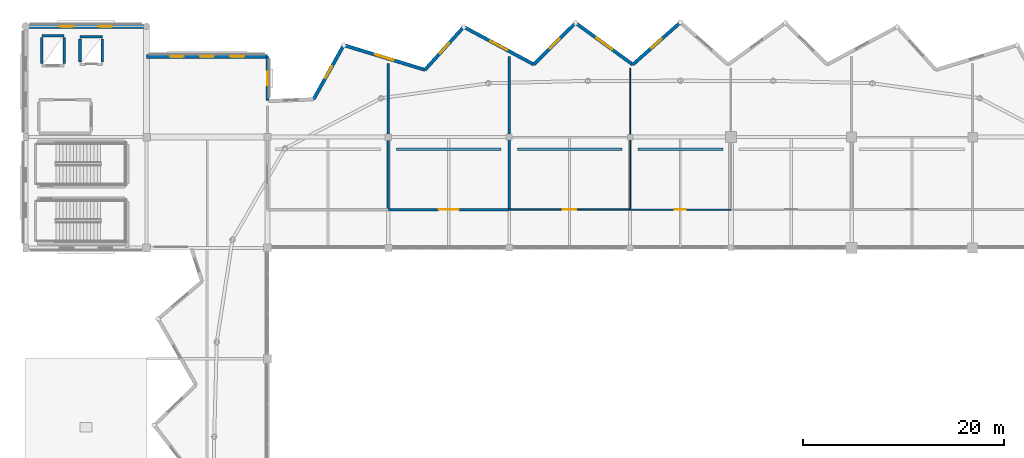
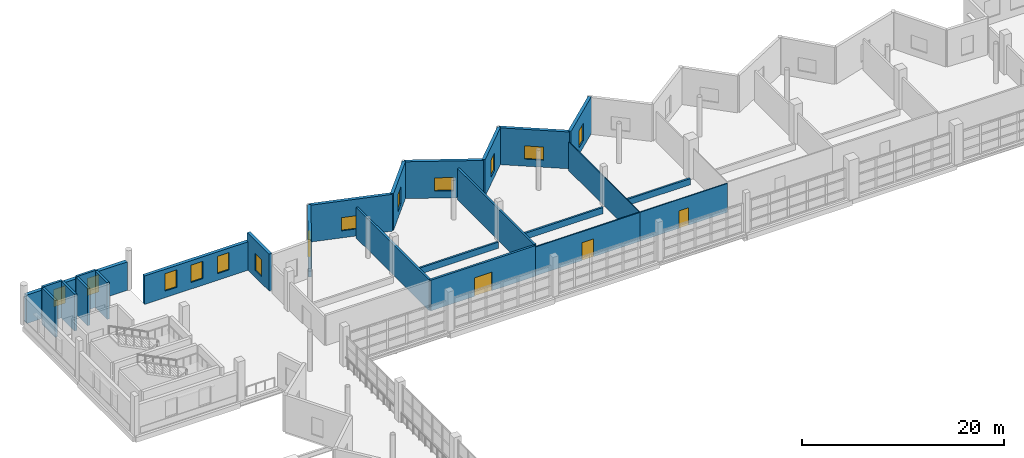
# One storey, part 41 of 53: 25 walls, 13 windows, 3 doors, 16 openings.
"""IFC4 building model written with IfcOpenShell, lengths in metres."""

from ifc_helpers import new_model, si_unit, direction, frame, frame_2d, origin, place, context, subcontext, project, spatial, rectangle, extrude, material, layer, layer_set, type_object, element, fill, save


model = new_model("IFC4")

# Units and contexts
model_context = context("Model", 3, precision=1e-05, world=origin(), true_north=direction((0.0, 1.0)))
body_context = subcontext(model_context, "Body", "Model", "MODEL_VIEW")
ifc_project = project(units=[si_unit("LENGTHUNIT", "METRE"), si_unit("AREAUNIT", "SQUARE_METRE"), si_unit("VOLUMEUNIT", "CUBIC_METRE"), si_unit("PLANEANGLEUNIT", "RADIAN"), si_unit("MASSUNIT", "GRAM", prefix="KILO")], contexts=[model_context])

# Site, building, storey
site_placement = place(None, origin())
site = spatial("IfcSite", under=ifc_project, at=site_placement, CompositionType="ELEMENT")
building_placement = place(site_placement, origin())
building = spatial("IfcBuilding", under=site, at=building_placement, Name="Luwafu Chhajja Arena", CompositionType="ELEMENT")
storey_placement = place(building_placement, frame((0.0, 0.0, 19.5)))
storey = spatial("IfcBuildingStorey", under=building, at=storey_placement, Name="L04", CompositionType="ELEMENT", Elevation=19.5)

# Wall, opening, door
ifc_material_1 = material(Name="Concrete blockwork masonry", Category="masonry")
ifc_layer_1 = layer(ifc_material_1, 0.239990234375, Name="Concrete blockwork masonry")
ifc_layer_set_1 = layer_set([ifc_layer_1], Name="Concrete blockwork masonry")
wall_type_1 = type_object("IfcWallType", Name="Compartment Masonry Partition 240", PredefinedType="PARTITIONING", material=ifc_layer_set_1)
wall_1_placement = place(storey_placement, frame((70.0, 80.800048828125, 0.0), z_axis=(0.0, 0.0, 1.0), x_axis=(1.0, 0.0, 0.0)))
wall_1 = element("IfcWall", 1, at=wall_1_placement, inside=storey, type_object=wall_type_1, Name="L04 Internal Partition 0317", PredefinedType="PARTITIONING", context=body_context, shape_type="SweptSolid", body=[
    extrude(rectangle(XDim=12.0, YDim=0.239990234375, at=frame_2d((6.0, 0.0))), origin(), (0.0, 0.0, 1.0), 3.70654296875),
])
opening_1_placement = place(wall_1_placement, frame((5.0, 0.0, 0.0)))
opening_1 = element("IfcOpeningElement", 2, at=opening_1_placement, cuts=wall_1, Name="Opening DR-08", PredefinedType="OPENING", context=body_context, shape_type="SweptSolid", body=[
    extrude(rectangle(XDim=2.0, YDim=2.25, at=frame_2d((1.0, 1.125))), frame((0.0, 0.1298828125, 0.0), z_axis=(0.0, -1.0, 0.0), x_axis=(1.0, 0.0, 0.0)), (0.0, 0.0, 1.0), 0.260009765625),
])
ifc_material_2 = material(Name="Fire-rated hardwood double leaf", Category="wood")
door_type_1 = type_object("IfcDoorType", Name="DR-08", OperationType="DOUBLE_DOOR_SINGLE_SWING", PredefinedType="DOOR", material=ifc_material_2)
door_1_placement = place(opening_1_placement, origin())
door_1 = element("IfcDoor", 3, at=door_1_placement, inside=storey, type_object=door_type_1, Name="L04 Interior Door L04-D027", OperationType="DOUBLE_DOOR_SINGLE_SWING", OverallHeight=2.25, OverallWidth=2.0, PredefinedType="DOOR", context=body_context, shape_type="SweptSolid", body=[
    extrude(rectangle(XDim=2.0, YDim=2.25, at=frame_2d((1.0, 1.125))), frame((0.0, 0.02490234375, 0.0), z_axis=(0.0, -1.0, 0.0), x_axis=(1.0, 0.0, 0.0)), (0.0, 0.0, 1.0), 0.050048828125),
])
fill(opening_1, door_1)

# Wall
wall_2_placement = place(storey_placement, frame((70.0, 80.800048828125, 0.0), z_axis=(0.0, 0.0, 1.0), x_axis=(0.0, 1.0, 0.0)))
element("IfcWall", 4, at=wall_2_placement, inside=storey, type_object=wall_type_1, Name="L04 Internal Partition 0330", PredefinedType="PARTITIONING", context=body_context, shape_type="SweptSolid", body=[
    extrude(rectangle(XDim=14.48779296875, YDim=0.239990234375, at=frame_2d((7.243896484375, 0.0))), origin(), (0.0, 0.0, 1.0), 3.70654296875),
])

# Wall, opening, door
ifc_material_3 = material(Name="Lightweight blockwork partition", Category="masonry")
ifc_layer_2 = layer(ifc_material_3, 0.139892578125, Name="Lightweight blockwork partition")
ifc_layer_set_2 = layer_set([ifc_layer_2], Name="Lightweight blockwork partition")
wall_type_2 = type_object("IfcWallType", Name="Concourse Kiosk Partition 140", PredefinedType="PARTITIONING", material=ifc_layer_set_2)
wall_3_placement = place(storey_placement, frame((82.0, 80.800048828125, 0.0), z_axis=(0.0, 0.0, 1.0), x_axis=(1.0, 0.0, 0.0)))
wall_3 = element("IfcWall", 5, at=wall_3_placement, inside=storey, type_object=wall_type_2, Name="L04 Internal Partition 0318", PredefinedType="PARTITIONING", context=body_context, shape_type="SweptSolid", body=[
    extrude(rectangle(XDim=12.0, YDim=0.139892578125, at=frame_2d((6.0, 0.0))), origin(), (0.0, 0.0, 1.0), 3.489990234375),
])
opening_2_placement = place(wall_3_placement, frame((5.330078125, 0.0, 0.0)))
opening_2 = element("IfcOpeningElement", 6, at=opening_2_placement, cuts=wall_3, Name="Opening DR-26", PredefinedType="OPENING", context=body_context, shape_type="SweptSolid", body=[
    extrude(rectangle(XDim=1.340087890625, YDim=2.14990234375, at=frame_2d((0.669921875, 1.074951171875))), frame((0.0, 0.079833984375, 0.0), z_axis=(0.0, -1.0, 0.0), x_axis=(1.0, 0.0, 0.0)), (0.0, 0.0, 1.0), 0.159912109375),
])
ifc_material_4 = material(Name="Hardwood service leaf", Category="wood")
door_type_2 = type_object("IfcDoorType", Name="DR-26", OperationType="NOTDEFINED", PredefinedType="DOOR", material=ifc_material_4)
door_2_placement = place(opening_2_placement, origin())
door_2 = element("IfcDoor", 7, at=door_2_placement, inside=storey, type_object=door_type_2, Name="L04 Interior Door L04-D028", OperationType="SINGLE_SWING_RIGHT", OverallHeight=2.14990234375, OverallWidth=1.340087890625, PredefinedType="DOOR", context=body_context, shape_type="SweptSolid", body=[
    extrude(rectangle(XDim=1.340087890625, YDim=2.14990234375, at=frame_2d((0.669921875, 1.074951171875))), frame((0.0, 0.02490234375, 0.0), z_axis=(0.0, -1.0, 0.0), x_axis=(1.0, 0.0, 0.0)), (0.0, 0.0, 1.0), 0.050048828125),
])
fill(opening_2, door_2)

# Wall
ifc_material_5 = material(Name="Gypsum plasterboard partition")
ifc_layer_3 = layer(ifc_material_5, 0.10009765625, Name="Gypsum plasterboard partition")
ifc_layer_set_3 = layer_set([ifc_layer_3], Name="Gypsum plasterboard partition")
wall_type_3 = type_object("IfcWallType", Name="Drywall Lining Partition 100", PredefinedType="PARTITIONING", material=ifc_layer_set_3)
wall_4_placement = place(storey_placement, frame((94.0, 80.800048828125, 0.0), z_axis=(0.0, 0.0, 1.0), x_axis=(0.0, 1.0, 0.0)))
element("IfcWall", 8, at=wall_4_placement, inside=storey, type_object=wall_type_3, Name="L04 Internal Partition 0332", PredefinedType="PARTITIONING", context=body_context, shape_type="SweptSolid", body=[
    extrude(rectangle(XDim=14.015380859375, YDim=0.10009765625, at=frame_2d((7.0078125, 0.0))), origin(), (0.0, 0.0, 1.0), 3.489990234375),
])

# Wall, opening, door
ifc_material_6 = material(Name="Acoustic metal-stud gypsum board")
ifc_layer_4 = layer(ifc_material_6, 0.1201171875, Name="Acoustic metal-stud gypsum board")
ifc_layer_set_4 = layer_set([ifc_layer_4], Name="Acoustic metal-stud gypsum board")
wall_type_4 = type_object("IfcWallType", Name="Internal Room Partition 120", PredefinedType="PARTITIONING", material=ifc_layer_set_4)
wall_5_placement = place(storey_placement, frame((94.0, 80.800048828125, 0.0), z_axis=(0.0, 0.0, 1.0), x_axis=(1.0, 0.0, 0.0)))
wall_5 = element("IfcWall", 9, at=wall_5_placement, inside=storey, type_object=wall_type_4, Name="L04 Internal Partition 0319", PredefinedType="PARTITIONING", context=body_context, shape_type="SweptSolid", body=[
    extrude(rectangle(XDim=10.0, YDim=0.1201171875, at=frame_2d((5.0, 0.0))), origin(), (0.0, 0.0, 1.0), 3.489990234375),
])
opening_3_placement = place(wall_5_placement, frame((4.449951171875, 0.0, 0.0)))
opening_3 = element("IfcOpeningElement", 10, at=opening_3_placement, cuts=wall_5, Name="Opening DR-20", PredefinedType="OPENING", context=body_context, shape_type="SweptSolid", body=[
    extrude(rectangle(XDim=1.10009765625, YDim=2.10009765625, at=frame_2d((0.550048828125, 1.050048828125))), frame((0.0, 0.070068359375, 0.0), z_axis=(0.0, -1.0, 0.0), x_axis=(1.0, 0.0, 0.0)), (0.0, 0.0, 1.0), 0.14013671875),
])
ifc_material_7 = material(Name="Hygienic laminate single leaf")
door_type_3 = type_object("IfcDoorType", Name="DR-20", OperationType="NOTDEFINED", PredefinedType="DOOR", material=ifc_material_7)
door_3_placement = place(opening_3_placement, origin())
door_3 = element("IfcDoor", 11, at=door_3_placement, inside=storey, type_object=door_type_3, Name="L04 Interior Door L04-D029", OperationType="SINGLE_SWING_LEFT", OverallHeight=2.10009765625, OverallWidth=1.10009765625, PredefinedType="DOOR", context=body_context, shape_type="SweptSolid", body=[
    extrude(rectangle(XDim=1.10009765625, YDim=2.10009765625, at=frame_2d((0.550048828125, 1.050048828125))), frame((0.0, 0.02490234375, 0.0), z_axis=(0.0, -1.0, 0.0), x_axis=(1.0, 0.0, 0.0)), (0.0, 0.0, 1.0), 0.050048828125),
])
fill(opening_3, door_3)

# Walls
ifc_material_8 = material(Name="Concrete C35/45", Category="concrete")
ifc_layer_5 = layer(ifc_material_8, 0.260009765625, Name="Concrete C35/45")
ifc_layer_set_5 = layer_set([ifc_layer_5], Name="Concrete C35/45")
wall_type_5 = type_object("IfcWallType", Name="Lift and Riser Shaft Wall 260", PredefinedType="SOLIDWALL", material=ifc_layer_set_5)
wall_6_placement = place(storey_placement, frame((35.590087890625, 98.0849609375, 0.0), z_axis=(0.0, 0.0, 1.0), x_axis=(1.0, 0.0, 0.0)))
element("IfcWall", 12, at=wall_6_placement, inside=storey, type_object=wall_type_5, Name="L04 Lift LF-03 Shaft Wall N", PredefinedType="SOLIDWALL", context=body_context, shape_type="SweptSolid", body=[
    extrude(rectangle(XDim=2.219970703125, YDim=0.260009765625, at=frame_2d((1.10986328125, 0.0))), origin(), (0.0, 0.0, 1.0), 4.4599609375),
])
for number, where, z_axis, x_axis, name in (
    (13, (35.590087890625, 95.31494140625, 0.0), (0.0, 0.0, 1.0), (0.0, 1.0, 0.0), "L04 Lift LF-03 Shaft Wall W"),
    (14, (37.81005859375, 95.31494140625, 0.0), (0.0, 0.0, 1.0), (0.0, 1.0, 0.0), "L04 Lift LF-03 Shaft Wall E"),
):
    element("IfcWall", number, at=place(storey_placement, frame(where, z_axis=z_axis, x_axis=x_axis)), inside=storey, type_object=wall_type_5, Name=name, PredefinedType="SOLIDWALL", context=body_context, shape_type="SweptSolid", body=[
        extrude(rectangle(XDim=2.570068359375, YDim=0.260009765625, at=frame_2d((1.28515625, 0.0))), origin(), (0.0, 0.0, 1.0), 4.4599609375),
    ])
wall_7_placement = place(storey_placement, frame((39.389892578125, 97.9599609375, 0.0), z_axis=(0.0, 0.0, 1.0), x_axis=(1.0, 0.0, 0.0)))
element("IfcWall", 15, at=wall_7_placement, inside=storey, type_object=wall_type_5, Name="L04 Lift LF-07 Shaft Wall N", PredefinedType="SOLIDWALL", context=body_context, shape_type="SweptSolid", body=[
    extrude(rectangle(XDim=2.22021484375, YDim=0.260009765625, at=frame_2d((1.110107421875, 0.0))), origin(), (0.0, 0.0, 1.0), 4.4599609375),
])
for number, where, z_axis, x_axis, name in (
    (16, (39.389892578125, 95.43994140625, 0.0), (0.0, 0.0, 1.0), (0.0, 1.0, 0.0), "L04 Lift LF-07 Shaft Wall W"),
    (17, (41.610107421875, 95.43994140625, 0.0), (0.0, 0.0, 1.0), (0.0, 1.0, 0.0), "L04 Lift LF-07 Shaft Wall E"),
):
    element("IfcWall", number, at=place(storey_placement, frame(where, z_axis=z_axis, x_axis=x_axis)), inside=storey, type_object=wall_type_5, Name=name, PredefinedType="SOLIDWALL", context=body_context, shape_type="SweptSolid", body=[
        extrude(rectangle(XDim=2.320068359375, YDim=0.260009765625, at=frame_2d((1.16015625, 0.0))), origin(), (0.0, 0.0, 1.0), 4.4599609375),
    ])

# Wall, opening, window
ifc_material_9 = material(Name="Precast concrete C40/50", Category="concrete")
ifc_layer_6 = layer(ifc_material_9, 0.340087890625, Name="Precast concrete C40/50")
ifc_layer_set_6 = layer_set([ifc_layer_6], Name="Precast concrete C40/50")
wall_type_6 = type_object("IfcWallType", Name="Pleated Bowl V-Fold Wall 340", PredefinedType="USERDEFINED", material=ifc_layer_set_6)
wall_8_placement = place(storey_placement, frame((99.0, 99.39990234375, 0.0), z_axis=(0.0, 0.0, 1.0), x_axis=(-0.74844895461, -0.663192402205, 0.0)))
wall_8 = element("IfcWall", 18, at=wall_8_placement, inside=storey, type_object=wall_type_6, Name="L04 Pleated Bowl V-Fold Wall 17", ObjectType="PLEATED FACADE WALL", PredefinedType="USERDEFINED", context=body_context, shape_type="SweptSolid", body=[
    extrude(rectangle(XDim=6.317138671875, YDim=0.340087890625, at=frame_2d((3.15869140625, 0.0))), origin(), (0.0, 0.0, 1.0), 4.455078125),
])
opening_4_placement = place(wall_8_placement, frame((2.483642578125, 0.0, 0.800048828125)))
opening_4 = element("IfcOpeningElement", 19, at=opening_4_placement, cuts=wall_8, Name="Opening WN-17", PredefinedType="OPENING", context=body_context, shape_type="SweptSolid", body=[
    extrude(rectangle(XDim=1.35009765625, YDim=2.10009765625, at=frame_2d((0.675048828125, 1.050048828125))), frame((0.0, 0.179931640625, 0.0), z_axis=(0.0, -1.0, 0.0), x_axis=(1.0, 0.0, 0.0)), (0.0, 0.0, 1.0), 0.360107421875),
])
ifc_material_10 = material(Name="Solar-control laminated glass", Category="glass")
window_type_1 = type_object("IfcWindowType", Name="Exhibition Mezzanine Lancet Window 1350x2100", PartitioningType="SINGLE_PANEL", PredefinedType="WINDOW", material=ifc_material_10)
window_1_placement = place(opening_4_placement, origin())
window_1 = element("IfcWindow", 20, at=window_1_placement, inside=storey, type_object=window_type_1, Name="L04 Pleated Bowl Lancet Window 092", OverallHeight=2.10009765625, OverallWidth=1.35009765625, PartitioningType="SINGLE_PANEL", PredefinedType="WINDOW", context=body_context, shape_type="SweptSolid", body=[
    extrude(rectangle(XDim=1.35009765625, YDim=2.10009765625, at=frame_2d((0.675048828125, 1.050048828125))), frame((0.0, 0.030029296875, 0.0), z_axis=(0.0, -1.0, 0.0), x_axis=(1.0, 0.0, 0.0)), (0.0, 0.0, 1.0), 0.06005859375),
])
fill(opening_4, window_1)

wall_9_placement = place(storey_placement, frame((94.27197265625, 95.21044921875, 0.0), z_axis=(0.0, 0.0, 1.0), x_axis=(-0.808841233488, 0.588027090371, 0.0)))
wall_9 = element("IfcWall", 21, at=wall_9_placement, inside=storey, type_object=wall_type_6, Name="L04 Pleated Bowl V-Fold Wall 18", ObjectType="PLEATED FACADE WALL", PredefinedType="USERDEFINED", context=body_context, shape_type="SweptSolid", body=[
    extrude(rectangle(XDim=7.02734375, YDim=0.340087890625, at=frame_2d((3.513671875, 0.0))), origin(), (0.0, 0.0, 1.0), 4.455078125),
])
opening_5_placement = place(wall_9_placement, frame((2.563720703125, 0.0, 0.85009765625)))
opening_5 = element("IfcOpeningElement", 22, at=opening_5_placement, cuts=wall_9, Name="Opening WN-15", PredefinedType="OPENING", context=body_context, shape_type="SweptSolid", body=[
    extrude(rectangle(XDim=1.89990234375, YDim=1.60009765625, at=frame_2d((0.949951171875, 0.800048828125))), frame((0.0, 0.179931640625, 0.0), z_axis=(0.0, -1.0, 0.0), x_axis=(1.0, 0.0, 0.0)), (0.0, 0.0, 1.0), 0.360107421875),
])
window_type_2 = type_object("IfcWindowType", Name="Pleated Drum Inward-Fold Clerestory 1900x1600", PartitioningType="SINGLE_PANEL", PredefinedType="WINDOW", material=ifc_material_10)
window_2_placement = place(opening_5_placement, origin())
window_2 = element("IfcWindow", 23, at=window_2_placement, inside=storey, type_object=window_type_2, Name="L04 Pleated Bowl Lancet Window 093", OverallHeight=1.60009765625, OverallWidth=1.89990234375, PartitioningType="SINGLE_PANEL", PredefinedType="WINDOW", context=body_context, shape_type="SweptSolid", body=[
    extrude(rectangle(XDim=1.89990234375, YDim=1.60009765625, at=frame_2d((0.949951171875, 0.800048828125))), frame((0.0, 0.030029296875, 0.0), z_axis=(0.0, -1.0, 0.0), x_axis=(1.0, 0.0, 0.0)), (0.0, 0.0, 1.0), 0.06005859375),
])
fill(opening_5, window_2)

wall_10_placement = place(storey_placement, frame((88.587890625, 99.3427734375, 0.0), z_axis=(0.0, 0.0, 1.0), x_axis=(-0.710084208502, -0.704116763638, 0.0)))
wall_10 = element("IfcWall", 24, at=wall_10_placement, inside=storey, type_object=wall_type_6, Name="L04 Pleated Bowl V-Fold Wall 19", ObjectType="PLEATED FACADE WALL", PredefinedType="USERDEFINED", context=body_context, shape_type="SweptSolid", body=[
    extrude(rectangle(XDim=5.850341796875, YDim=0.340087890625, at=frame_2d((2.92529296875, 0.0))), origin(), (0.0, 0.0, 1.0), 4.455078125),
])
opening_6_placement = place(wall_10_placement, frame((2.250244140625, 0.0, 0.800048828125)))
opening_6 = element("IfcOpeningElement", 25, at=opening_6_placement, cuts=wall_10, Name="Opening WN-17", PredefinedType="OPENING", context=body_context, shape_type="SweptSolid", body=[
    extrude(rectangle(XDim=1.35009765625, YDim=2.10009765625, at=frame_2d((0.675048828125, 1.050048828125))), frame((0.0, 0.179931640625, 0.0), z_axis=(0.0, -1.0, 0.0), x_axis=(1.0, 0.0, 0.0)), (0.0, 0.0, 1.0), 0.360107421875),
])
window_3_placement = place(opening_6_placement, origin())
window_3 = element("IfcWindow", 26, at=window_3_placement, inside=storey, type_object=window_type_1, Name="L04 Pleated Bowl Lancet Window 094", OverallHeight=2.10009765625, OverallWidth=1.35009765625, PartitioningType="SINGLE_PANEL", PredefinedType="WINDOW", context=body_context, shape_type="SweptSolid", body=[
    extrude(rectangle(XDim=1.35009765625, YDim=2.10009765625, at=frame_2d((0.675048828125, 1.050048828125))), frame((0.0, 0.030029296875, 0.0), z_axis=(0.0, -1.0, 0.0), x_axis=(1.0, 0.0, 0.0)), (0.0, 0.0, 1.0), 0.06005859375),
])
fill(opening_6, window_3)

wall_11_placement = place(storey_placement, frame((84.43359375, 95.223388671875, 0.0), z_axis=(0.0, 0.0, 1.0), x_axis=(-0.881201188687, 0.472741435731, 0.0)))
wall_11 = element("IfcWall", 27, at=wall_11_placement, inside=storey, type_object=wall_type_6, Name="L04 Pleated Bowl V-Fold Wall 20", ObjectType="PLEATED FACADE WALL", PredefinedType="USERDEFINED", context=body_context, shape_type="SweptSolid", body=[
    extrude(rectangle(XDim=7.880859375, YDim=0.340087890625, at=frame_2d((3.9404296875, 0.0))), origin(), (0.0, 0.0, 1.0), 4.455078125),
])
opening_7_placement = place(wall_11_placement, frame((2.990234375, 0.0, 0.85009765625)))
opening_7 = element("IfcOpeningElement", 28, at=opening_7_placement, cuts=wall_11, Name="Opening WN-15", PredefinedType="OPENING", context=body_context, shape_type="SweptSolid", body=[
    extrude(rectangle(XDim=1.89990234375, YDim=1.60009765625, at=frame_2d((0.949951171875, 0.800048828125))), frame((0.0, 0.179931640625, 0.0), z_axis=(0.0, -1.0, 0.0), x_axis=(1.0, 0.0, 0.0)), (0.0, 0.0, 1.0), 0.360107421875),
])
window_4_placement = place(opening_7_placement, origin())
window_4 = element("IfcWindow", 29, at=window_4_placement, inside=storey, type_object=window_type_2, Name="L04 Pleated Bowl Lancet Window 095", OverallHeight=1.60009765625, OverallWidth=1.89990234375, PartitioningType="SINGLE_PANEL", PredefinedType="WINDOW", context=body_context, shape_type="SweptSolid", body=[
    extrude(rectangle(XDim=1.89990234375, YDim=1.60009765625, at=frame_2d((0.949951171875, 0.800048828125))), frame((0.0, 0.030029296875, 0.0), z_axis=(0.0, -1.0, 0.0), x_axis=(1.0, 0.0, 0.0)), (0.0, 0.0, 1.0), 0.06005859375),
])
fill(opening_7, window_4)

wall_12_placement = place(storey_placement, frame((77.489013671875, 98.948974609375, 0.0), z_axis=(0.0, 0.0, 1.0), x_axis=(-0.670348131104, -0.742046752654, 0.0)))
wall_12 = element("IfcWall", 30, at=wall_12_placement, inside=storey, type_object=wall_type_6, Name="L04 Pleated Bowl V-Fold Wall 21", ObjectType="PLEATED FACADE WALL", PredefinedType="USERDEFINED", context=body_context, shape_type="SweptSolid", body=[
    extrude(rectangle(XDim=5.747802734375, YDim=0.340087890625, at=frame_2d((2.8740234375, 0.0))), origin(), (0.0, 0.0, 1.0), 4.455078125),
])
opening_8_placement = place(wall_12_placement, frame((2.198974609375, 0.0, 0.800048828125)))
opening_8 = element("IfcOpeningElement", 31, at=opening_8_placement, cuts=wall_12, Name="Opening WN-17", PredefinedType="OPENING", context=body_context, shape_type="SweptSolid", body=[
    extrude(rectangle(XDim=1.35009765625, YDim=2.10009765625, at=frame_2d((0.675048828125, 1.050048828125))), frame((0.0, 0.179931640625, 0.0), z_axis=(0.0, -1.0, 0.0), x_axis=(1.0, 0.0, 0.0)), (0.0, 0.0, 1.0), 0.360107421875),
])
window_5_placement = place(opening_8_placement, origin())
window_5 = element("IfcWindow", 32, at=window_5_placement, inside=storey, type_object=window_type_1, Name="L04 Pleated Bowl Lancet Window 096", OverallHeight=2.10009765625, OverallWidth=1.35009765625, PartitioningType="SINGLE_PANEL", PredefinedType="WINDOW", context=body_context, shape_type="SweptSolid", body=[
    extrude(rectangle(XDim=1.35009765625, YDim=2.10009765625, at=frame_2d((0.675048828125, 1.050048828125))), frame((0.0, 0.030029296875, 0.0), z_axis=(0.0, -1.0, 0.0), x_axis=(1.0, 0.0, 0.0)), (0.0, 0.0, 1.0), 0.06005859375),
])
fill(opening_8, window_5)

wall_13_placement = place(storey_placement, frame((73.635986328125, 94.683837890625, 0.0), z_axis=(0.0, 0.0, 1.0), x_axis=(-0.956738407321, 0.290949514446, 0.0)))
wall_13 = element("IfcWall", 33, at=wall_13_placement, inside=storey, type_object=wall_type_6, Name="L04 Pleated Bowl V-Fold Wall 22", ObjectType="PLEATED FACADE WALL", PredefinedType="USERDEFINED", context=body_context, shape_type="SweptSolid", body=[
    extrude(rectangle(XDim=8.427978515625, YDim=0.340087890625, at=frame_2d((4.2138671875, 0.0))), origin(), (0.0, 0.0, 1.0), 4.455078125),
])
opening_9_placement = place(wall_13_placement, frame((3.263916015625, 0.0, 0.85009765625)))
opening_9 = element("IfcOpeningElement", 34, at=opening_9_placement, cuts=wall_13, Name="Opening WN-15", PredefinedType="OPENING", context=body_context, shape_type="SweptSolid", body=[
    extrude(rectangle(XDim=1.89990234375, YDim=1.60009765625, at=frame_2d((0.949951171875, 0.800048828125))), frame((0.0, 0.179931640625, 0.0), z_axis=(0.0, -1.0, 0.0), x_axis=(1.0, 0.0, 0.0)), (0.0, 0.0, 1.0), 0.360107421875),
])
window_6_placement = place(opening_9_placement, origin())
window_6 = element("IfcWindow", 35, at=window_6_placement, inside=storey, type_object=window_type_2, Name="L04 Pleated Bowl Lancet Window 097", OverallHeight=1.60009765625, OverallWidth=1.89990234375, PartitioningType="SINGLE_PANEL", PredefinedType="WINDOW", context=body_context, shape_type="SweptSolid", body=[
    extrude(rectangle(XDim=1.89990234375, YDim=1.60009765625, at=frame_2d((0.949951171875, 0.800048828125))), frame((0.0, 0.030029296875, 0.0), z_axis=(0.0, -1.0, 0.0), x_axis=(1.0, 0.0, 0.0)), (0.0, 0.0, 1.0), 0.06005859375),
])
fill(opening_9, window_6)

wall_14_placement = place(storey_placement, frame((65.572509765625, 97.135986328125, 0.0), z_axis=(0.0, 0.0, 1.0), x_axis=(-0.487306352228, -0.87323108, 0.0)))
wall_14 = element("IfcWall", 36, at=wall_14_placement, inside=storey, type_object=wall_type_6, Name="L04 Pleated Bowl V-Fold Wall 23", ObjectType="PLEATED FACADE WALL", PredefinedType="USERDEFINED", context=body_context, shape_type="SweptSolid", body=[
    extrude(rectangle(XDim=6.15283203125, YDim=0.340087890625, at=frame_2d((3.076416015625, 0.0))), origin(), (0.0, 0.0, 1.0), 4.455078125),
])
opening_10_placement = place(wall_14_placement, frame((2.401611328125, 0.0, 0.800048828125)))
opening_10 = element("IfcOpeningElement", 37, at=opening_10_placement, cuts=wall_14, Name="Opening WN-17", PredefinedType="OPENING", context=body_context, shape_type="SweptSolid", body=[
    extrude(rectangle(XDim=1.35009765625, YDim=2.10009765625, at=frame_2d((0.675048828125, 1.050048828125))), frame((0.0, 0.179931640625, 0.0), z_axis=(0.0, -1.0, 0.0), x_axis=(1.0, 0.0, 0.0)), (0.0, 0.0, 1.0), 0.360107421875),
])
window_7_placement = place(opening_10_placement, origin())
window_7 = element("IfcWindow", 38, at=window_7_placement, inside=storey, type_object=window_type_1, Name="L04 Pleated Bowl Lancet Window 098", OverallHeight=2.10009765625, OverallWidth=1.35009765625, PartitioningType="SINGLE_PANEL", PredefinedType="WINDOW", context=body_context, shape_type="SweptSolid", body=[
    extrude(rectangle(XDim=1.35009765625, YDim=2.10009765625, at=frame_2d((0.675048828125, 1.050048828125))), frame((0.0, 0.030029296875, 0.0), z_axis=(0.0, -1.0, 0.0), x_axis=(1.0, 0.0, 0.0)), (0.0, 0.0, 1.0), 0.06005859375),
])
fill(opening_10, window_7)

# Wall
ifc_layer_7 = layer(ifc_material_1, 0.219970703125, Name="Concrete blockwork masonry")
ifc_layer_set_7 = layer_set([ifc_layer_7], Name="Concrete blockwork masonry")
wall_type_7 = type_object("IfcWallType", Name="Protected Corridor Partition 220", PredefinedType="PARTITIONING", material=ifc_layer_set_7)
wall_15_placement = place(storey_placement, frame((82.0, 80.800048828125, 0.0), z_axis=(0.0, 0.0, 1.0), x_axis=(0.0, 1.0, 0.0)))
element("IfcWall", 39, at=wall_15_placement, inside=storey, type_object=wall_type_7, Name="L04 Internal Partition 0331", PredefinedType="PARTITIONING", context=body_context, shape_type="SweptSolid", body=[
    extrude(rectangle(XDim=15.184326171875, YDim=0.219970703125, at=frame_2d((7.59228515625, 0.0))), origin(), (0.0, 0.0, 1.0), 3.7900390625),
])

# Wall, openings, windows
ifc_material_11 = material(Name="Concrete C40/50", Category="concrete")
ifc_layer_8 = layer(ifc_material_11, 0.39990234375, Name="Concrete C40/50")
ifc_layer_set_8 = layer_set([ifc_layer_8], Name="Concrete C40/50")
wall_type_8 = type_object("IfcWallType", Name="RC Core Shear Wall 400", PredefinedType="SOLIDWALL", material=ifc_layer_set_8)
wall_16_placement = place(storey_placement, frame((34.219970703125, 99.0, 0.0), z_axis=(0.0, 0.0, 1.0), x_axis=(1.0, 0.0, 0.0)))
wall_16 = element("IfcWall", 40, at=wall_16_placement, inside=storey, type_object=wall_type_8, Name="L04 Exterior Wall WEX-L04-216", PredefinedType="SOLIDWALL", context=body_context, shape_type="SweptSolid", body=[
    extrude(rectangle(XDim=11.56005859375, YDim=0.39990234375, at=frame_2d((5.780029296875, 0.0))), origin(), (0.0, 0.0, 1.0), 3.43994140625),
])
opening_11_placement = place(wall_16_placement, frame((3.17822265625, 0.0, 0.800048828125)))
opening_11 = element("IfcOpeningElement", 41, at=opening_11_placement, cuts=wall_16, Name="Opening WN-17", PredefinedType="OPENING", context=body_context, shape_type="SweptSolid", body=[
    extrude(rectangle(XDim=1.35009765625, YDim=2.10009765625, at=frame_2d((0.675048828125, 1.050048828125))), frame((0.0, 0.2099609375, 0.0), z_axis=(0.0, -1.0, 0.0), x_axis=(1.0, 0.0, 0.0)), (0.0, 0.0, 1.0), 0.419921875),
])
opening_12_placement = place(wall_16_placement, frame((7.03173828125, 0.0, 0.800048828125)))
opening_12 = element("IfcOpeningElement", 42, at=opening_12_placement, cuts=wall_16, Name="Opening WN-17", PredefinedType="OPENING", context=body_context, shape_type="SweptSolid", body=[
    extrude(rectangle(XDim=1.35009765625, YDim=2.10009765625, at=frame_2d((0.675048828125, 1.050048828125))), frame((0.0, 0.2099609375, 0.0), z_axis=(0.0, -1.0, 0.0), x_axis=(1.0, 0.0, 0.0)), (0.0, 0.0, 1.0), 0.419921875),
])
window_8_placement = place(opening_11_placement, origin())
window_8 = element("IfcWindow", 43, at=window_8_placement, inside=storey, type_object=window_type_1, Name="L04 Facade Window 178", OverallHeight=2.10009765625, OverallWidth=1.35009765625, PartitioningType="SINGLE_PANEL", PredefinedType="WINDOW", context=body_context, shape_type="SweptSolid", body=[
    extrude(rectangle(XDim=1.35009765625, YDim=2.10009765625, at=frame_2d((0.675048828125, 1.050048828125))), frame((0.0, 0.030029296875, 0.0), z_axis=(0.0, -1.0, 0.0), x_axis=(1.0, 0.0, 0.0)), (0.0, 0.0, 1.0), 0.06005859375),
])
fill(opening_11, window_8)
window_9_placement = place(opening_12_placement, origin())
window_9 = element("IfcWindow", 44, at=window_9_placement, inside=storey, type_object=window_type_1, Name="L04 Facade Window 179", OverallHeight=2.10009765625, OverallWidth=1.35009765625, PartitioningType="SINGLE_PANEL", PredefinedType="WINDOW", context=body_context, shape_type="SweptSolid", body=[
    extrude(rectangle(XDim=1.35009765625, YDim=2.10009765625, at=frame_2d((0.675048828125, 1.050048828125))), frame((0.0, 0.030029296875, 0.0), z_axis=(0.0, -1.0, 0.0), x_axis=(1.0, 0.0, 0.0)), (0.0, 0.0, 1.0), 0.06005859375),
])
fill(opening_12, window_9)

# Wall, opening, window
ifc_layer_9 = layer(ifc_material_8, 0.320068359375, Name="Concrete C35/45")
ifc_layer_set_9 = layer_set([ifc_layer_9], Name="Concrete C35/45")
wall_type_9 = type_object("IfcWallType", Name="Sandstone Backed Exterior Wall 320", PredefinedType="SOLIDWALL", material=ifc_layer_set_9)
wall_17_placement = place(storey_placement, frame((58.0, 91.651611328125, 0.0), z_axis=(0.0, 0.0, 1.0), x_axis=(0.0, 1.0, 0.0)))
wall_17 = element("IfcWall", 45, at=wall_17_placement, inside=storey, type_object=wall_type_9, Name="L04 Exterior Wall WEX-L04-220", PredefinedType="SOLIDWALL", context=body_context, shape_type="SweptSolid", body=[
    extrude(rectangle(XDim=4.348388671875, YDim=0.320068359375, at=frame_2d((2.17431640625, 0.0))), origin(), (0.0, 0.0, 1.0), 4.465087890625),
])
opening_13_placement = place(wall_17_placement, frame((1.4990234375, 0.0, 0.800048828125)))
opening_13 = element("IfcOpeningElement", 46, at=opening_13_placement, cuts=wall_17, Name="Opening WN-17", PredefinedType="OPENING", context=body_context, shape_type="SweptSolid", body=[
    extrude(rectangle(XDim=1.35009765625, YDim=2.10009765625, at=frame_2d((0.675048828125, 1.050048828125))), frame((0.0, 0.169921875, 0.0), z_axis=(0.0, -1.0, 0.0), x_axis=(1.0, 0.0, 0.0)), (0.0, 0.0, 1.0), 0.340087890625),
])
window_10_placement = place(opening_13_placement, origin())
window_10 = element("IfcWindow", 47, at=window_10_placement, inside=storey, type_object=window_type_1, Name="L04 Facade Window 187", OverallHeight=2.10009765625, OverallWidth=1.35009765625, PartitioningType="SINGLE_PANEL", PredefinedType="WINDOW", context=body_context, shape_type="SweptSolid", body=[
    extrude(rectangle(XDim=1.35009765625, YDim=2.10009765625, at=frame_2d((0.675048828125, 1.050048828125))), frame((0.0, 0.030029296875, 0.0), z_axis=(0.0, -1.0, 0.0), x_axis=(1.0, 0.0, 0.0)), (0.0, 0.0, 1.0), 0.06005859375),
])
fill(opening_13, window_10)

# Wall, openings, windows
ifc_layer_10 = layer(ifc_material_8, 0.360107421875, Name="Concrete C35/45")
ifc_layer_set_10 = layer_set([ifc_layer_10], Name="Concrete C35/45")
wall_type_10 = type_object("IfcWallType", Name="Sandstone Backed Exterior Wall 360", PredefinedType="SOLIDWALL", material=ifc_layer_set_10)
wall_18_placement = place(storey_placement, frame((46.0, 96.0, 0.0), z_axis=(0.0, 0.0, 1.0), x_axis=(1.0, 0.0, 0.0)))
wall_18 = element("IfcWall", 48, at=wall_18_placement, inside=storey, type_object=wall_type_10, Name="L04 Exterior Wall WEX-L04-219", PredefinedType="SOLIDWALL", context=body_context, shape_type="SweptSolid", body=[
    extrude(rectangle(XDim=12.0, YDim=0.360107421875, at=frame_2d((6.0, 0.0))), origin(), (0.0, 0.0, 1.0), 3.43994140625),
])
opening_14_placement = place(wall_18_placement, frame((2.324951171875, 0.0, 0.800048828125)))
opening_14 = element("IfcOpeningElement", 49, at=opening_14_placement, cuts=wall_18, Name="Opening WN-17", PredefinedType="OPENING", context=body_context, shape_type="SweptSolid", body=[
    extrude(rectangle(XDim=1.35009765625, YDim=2.10009765625, at=frame_2d((0.675048828125, 1.050048828125))), frame((0.0, 0.18994140625, 0.0), z_axis=(0.0, -1.0, 0.0), x_axis=(1.0, 0.0, 0.0)), (0.0, 0.0, 1.0), 0.380126953125),
])
opening_15_placement = place(wall_18_placement, frame((5.324951171875, 0.0, 0.800048828125)))
opening_15 = element("IfcOpeningElement", 50, at=opening_15_placement, cuts=wall_18, Name="Opening WN-17", PredefinedType="OPENING", context=body_context, shape_type="SweptSolid", body=[
    extrude(rectangle(XDim=1.35009765625, YDim=2.10009765625, at=frame_2d((0.675048828125, 1.050048828125))), frame((0.0, 0.18994140625, 0.0), z_axis=(0.0, -1.0, 0.0), x_axis=(1.0, 0.0, 0.0)), (0.0, 0.0, 1.0), 0.380126953125),
])
opening_16_placement = place(wall_18_placement, frame((8.324951171875, 0.0, 0.800048828125)))
opening_16 = element("IfcOpeningElement", 51, at=opening_16_placement, cuts=wall_18, Name="Opening WN-17", PredefinedType="OPENING", context=body_context, shape_type="SweptSolid", body=[
    extrude(rectangle(XDim=1.35009765625, YDim=2.10009765625, at=frame_2d((0.675048828125, 1.050048828125))), frame((0.0, 0.18994140625, 0.0), z_axis=(0.0, -1.0, 0.0), x_axis=(1.0, 0.0, 0.0)), (0.0, 0.0, 1.0), 0.380126953125),
])
window_11_placement = place(opening_14_placement, origin())
window_11 = element("IfcWindow", 52, at=window_11_placement, inside=storey, type_object=window_type_1, Name="L04 Facade Window 184", OverallHeight=2.10009765625, OverallWidth=1.35009765625, PartitioningType="SINGLE_PANEL", PredefinedType="WINDOW", context=body_context, shape_type="SweptSolid", body=[
    extrude(rectangle(XDim=1.35009765625, YDim=2.10009765625, at=frame_2d((0.675048828125, 1.050048828125))), frame((0.0, 0.030029296875, 0.0), z_axis=(0.0, -1.0, 0.0), x_axis=(1.0, 0.0, 0.0)), (0.0, 0.0, 1.0), 0.06005859375),
])
fill(opening_14, window_11)
window_12_placement = place(opening_15_placement, origin())
window_12 = element("IfcWindow", 53, at=window_12_placement, inside=storey, type_object=window_type_1, Name="L04 Facade Window 185", OverallHeight=2.10009765625, OverallWidth=1.35009765625, PartitioningType="SINGLE_PANEL", PredefinedType="WINDOW", context=body_context, shape_type="SweptSolid", body=[
    extrude(rectangle(XDim=1.35009765625, YDim=2.10009765625, at=frame_2d((0.675048828125, 1.050048828125))), frame((0.0, 0.030029296875, 0.0), z_axis=(0.0, -1.0, 0.0), x_axis=(1.0, 0.0, 0.0)), (0.0, 0.0, 1.0), 0.06005859375),
])
fill(opening_15, window_12)
window_13_placement = place(opening_16_placement, origin())
window_13 = element("IfcWindow", 54, at=window_13_placement, inside=storey, type_object=window_type_1, Name="L04 Facade Window 186", OverallHeight=2.10009765625, OverallWidth=1.35009765625, PartitioningType="SINGLE_PANEL", PredefinedType="WINDOW", context=body_context, shape_type="SweptSolid", body=[
    extrude(rectangle(XDim=1.35009765625, YDim=2.10009765625, at=frame_2d((0.675048828125, 1.050048828125))), frame((0.0, 0.030029296875, 0.0), z_axis=(0.0, -1.0, 0.0), x_axis=(1.0, 0.0, 0.0)), (0.0, 0.0, 1.0), 0.06005859375),
])
fill(opening_16, window_13)

# Walls
ifc_layer_11 = layer(ifc_material_9, 0.2099609375, Name="Precast concrete C40/50")
ifc_layer_set_11 = layer_set([ifc_layer_11], Name="Precast concrete C40/50")
wall_type_11 = type_object("IfcWallType", Name="Terrace Upstand Parapet 210", PredefinedType="PARAPET", material=ifc_layer_set_11)
for number, where, z_axis, x_axis, name in (
    (55, (70.800048828125, 86.800048828125, 0.0), (0.0, 0.0, 1.0), (1.0, 0.0, 0.0), "L04 Bowl North Gallery Upstand 2"),
    (56, (82.800048828125, 86.800048828125, 0.0), (0.0, 0.0, 1.0), (1.0, 0.0, 0.0), "L04 Bowl North Gallery Upstand 3"),
):
    element("IfcWall", number, at=place(storey_placement, frame(where, z_axis=z_axis, x_axis=x_axis)), inside=storey, type_object=wall_type_11, Name=name, PredefinedType="PARAPET", context=body_context, shape_type="SweptSolid", body=[
        extrude(rectangle(XDim=10.39990234375, YDim=0.2099609375, at=frame_2d((5.199951171875, 0.0))), origin(), (0.0, 0.0, 1.0), 0.75),
    ])
wall_19_placement = place(storey_placement, frame((94.800048828125, 86.800048828125, 0.0), z_axis=(0.0, 0.0, 1.0), x_axis=(1.0, 0.0, 0.0)))
element("IfcWall", 57, at=wall_19_placement, inside=storey, type_object=wall_type_11, Name="L04 Bowl North Gallery Upstand 4", PredefinedType="PARAPET", context=body_context, shape_type="SweptSolid", body=[
    extrude(rectangle(XDim=8.39990234375, YDim=0.2099609375, at=frame_2d((4.199951171875, 0.0))), origin(), (0.0, 0.0, 1.0), 0.75),
])

save(model, "model.ifc")
